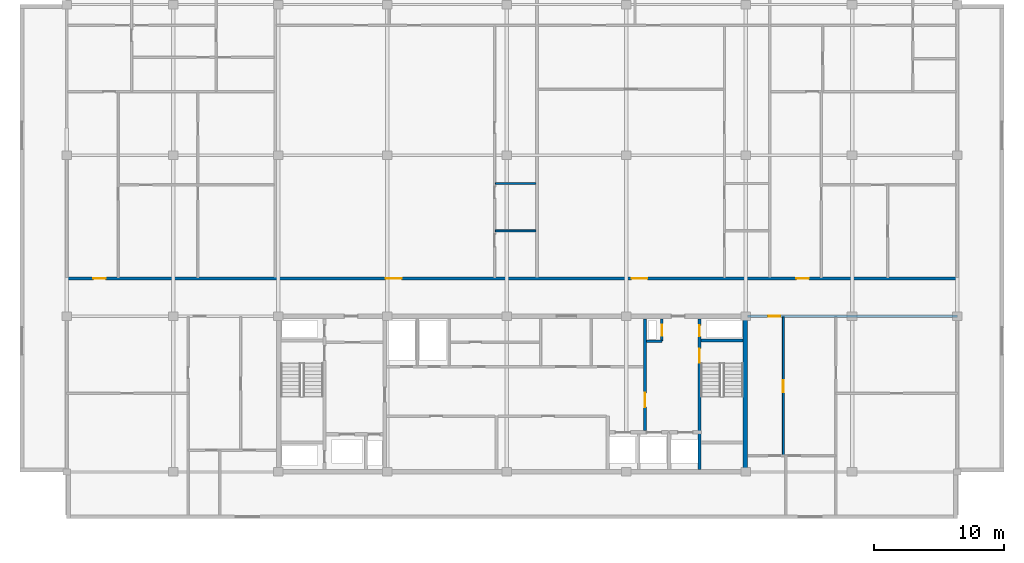
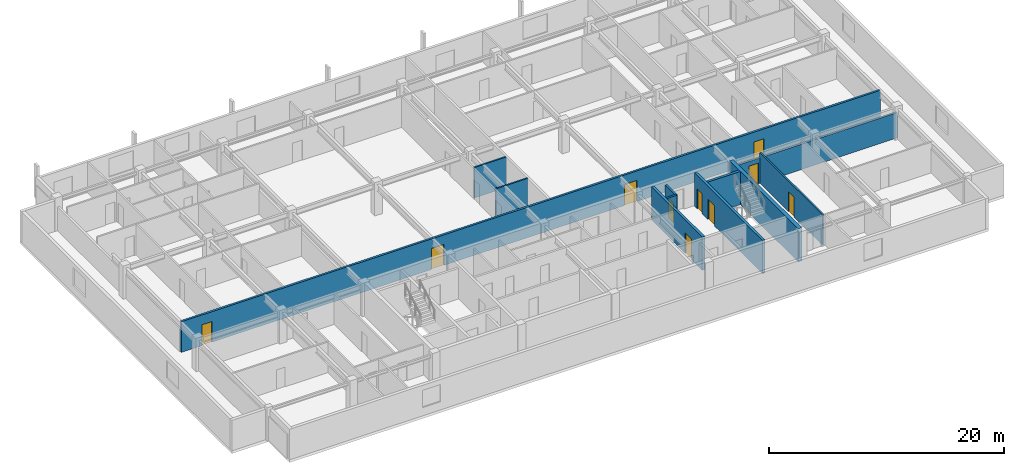
# One storey, part 5 of 10: 11 walls, 10 doors, 10 openings.
"""IFC4 building model written with IfcOpenShell, lengths in metres."""

from ifc_helpers import new_model, si_unit, direction, frame, frame_2d, origin, place, context, subcontext, project, spatial, rectangle, extrude, material, layer, layer_set, type_object, element, fill, save


model = new_model("IFC4")

# Units and contexts
model_context = context("Model", 3, precision=1e-05, world=origin(), true_north=direction((0.0, 1.0)))
body_context = subcontext(model_context, "Body", "Model", "MODEL_VIEW")
ifc_project = project(units=[si_unit("LENGTHUNIT", "METRE"), si_unit("AREAUNIT", "SQUARE_METRE"), si_unit("VOLUMEUNIT", "CUBIC_METRE"), si_unit("PLANEANGLEUNIT", "RADIAN"), si_unit("MASSUNIT", "GRAM", prefix="KILO")], contexts=[model_context])

# Site, building, storey
site_placement = place(None, origin())
site = spatial("IfcSite", under=ifc_project, at=site_placement, CompositionType="ELEMENT")
building_placement = place(site_placement, origin())
building = spatial("IfcBuilding", under=site, at=building_placement, Name="Korimba Cascade Residences", CompositionType="ELEMENT")
storey_placement = place(building_placement, frame((0.0, 0.0, 245.89990234375)))
storey = spatial("IfcBuildingStorey", under=building, at=storey_placement, Name="L71", CompositionType="ELEMENT", Elevation=245.89990234375)

# Wall
ifc_material_1 = material(Name="Concrete C65/80", Category="concrete")
ifc_layer_1 = layer(ifc_material_1, 0.35009765625)
ifc_layer_set_1 = layer_set([ifc_layer_1], Name="Concrete C65/80")
wall_type_1 = type_object("IfcWallType", Name="WAL-CORE-350", PredefinedType="SHEAR", material=ifc_layer_set_1)
wall_1_placement = place(storey_placement, frame((112.074951171875, 55.375, 0.0), z_axis=(0.0, 0.0, 1.0), x_axis=(0.0, 1.0, 0.0)))
element("IfcWall", 1, at=wall_1_placement, inside=storey, type_object=wall_type_1, Name="L71 Core Shear Wall CW-L71-T1-E", PredefinedType="SHEAR", context=body_context, shape_type="SweptSolid", body=[
    extrude(rectangle(XDim=11.64990234375, YDim=0.35009765625, at=frame_2d((5.824951171875, 0.0))), origin(), (0.0, 0.0, 1.0), 3.4501953125),
])

# Wall, opening, door
ifc_material_2 = material(Name="Precast concrete C40/50", Category="concrete")
ifc_layer_2 = layer(ifc_material_2, 0.199951171875)
ifc_layer_set_2 = layer_set([ifc_layer_2], Name="Precast concrete C40/50")
wall_type_2 = type_object("IfcWallType", Name="WAL-IT-200", PredefinedType="PARTITIONING", material=ifc_layer_set_2)
wall_2_placement = place(storey_placement, frame((112.25, 67.199951171875, 0.0), z_axis=(0.0, 0.0, 1.0), x_axis=(1.0, 0.0, 0.0)))
wall_2 = element("IfcWall", 2, at=wall_2_placement, inside=storey, type_object=wall_type_2, Name="L71 Partition Wall WAL-L71-T1-FE-N", PredefinedType="PARTITIONING", context=body_context, shape_type="SweptSolid", body=[
    extrude(rectangle(XDim=16.14990234375, YDim=0.199951171875, at=frame_2d((8.074951171875, 0.0))), origin(), (0.0, 0.0, 1.0), 2.63330078125),
])
opening_1_placement = place(wall_2_placement, frame((1.580078125, 0.0, 0.0)))
opening_1 = element("IfcOpeningElement", 3, at=opening_1_placement, cuts=wall_2, Name="Opening D-UN1", PredefinedType="OPENING", context=body_context, shape_type="SweptSolid", body=[
    extrude(rectangle(XDim=0.949951171875, YDim=2.14990234375, at=frame_2d((0.47509765625, 1.074951171875))), frame((0.0, 0.10986328125, 0.0), z_axis=(0.0, -1.0, 0.0), x_axis=(1.0, 0.0, 0.0)), (0.0, 0.0, 1.0), 0.219970703125),
])
ifc_material_3 = material(Name="Fire-Rated Hardwood Apartment Entrance Door", Category="wood")
door_type_1 = type_object("IfcDoorType", Name="DR-FD60-950", OperationType="NOTDEFINED", PredefinedType="DOOR", material=ifc_material_3)
door_1_placement = place(opening_1_placement, origin())
door_1 = element("IfcDoor", 4, at=door_1_placement, inside=storey, type_object=door_type_1, Name="L71-T1-FE Entrance Door", OperationType="SINGLE_SWING_LEFT", OverallHeight=2.14990234375, OverallWidth=0.949951171875, PredefinedType="DOOR", context=body_context, shape_type="SweptSolid", body=[
    extrude(rectangle(XDim=0.949951171875, YDim=2.14990234375, at=frame_2d((0.47509765625, 1.074951171875))), frame((0.0, 0.02490234375, 0.0), z_axis=(0.0, -1.0, 0.0), x_axis=(1.0, 0.0, 0.0)), (0.0, 0.0, 1.0), 0.050048828125),
])
fill(opening_1, door_1)

# Wall, openings, doors
wall_3_placement = place(storey_placement, frame((59.800048828125, 70.10009765625, 0.0), z_axis=(0.0, 0.0, 1.0), x_axis=(1.0, 0.0, 0.0)))
wall_3 = element("IfcWall", 5, at=wall_3_placement, inside=storey, type_object=wall_type_2, Name="L71 Partition Wall WAL-L71-T1-CORN", PredefinedType="PARTITIONING", context=body_context, shape_type="SweptSolid", body=[
    extrude(rectangle(XDim=68.599853515625, YDim=0.199951171875, at=frame_2d((34.2998046875, 0.0))), origin(), (0.0, 0.0, 1.0), 3.170166015625),
])
opening_2_placement = place(wall_3_placement, frame((2.044921875, 0.0, 0.0)))
opening_2 = element("IfcOpeningElement", 6, at=opening_2_placement, cuts=wall_3, Name="Opening D-UN1", PredefinedType="OPENING", context=body_context, shape_type="SweptSolid", body=[
    extrude(rectangle(XDim=0.949951171875, YDim=2.14990234375, at=frame_2d((0.47509765625, 1.074951171875))), frame((0.0, 0.10986328125, 0.0), z_axis=(0.0, -1.0, 0.0), x_axis=(1.0, 0.0, 0.0)), (0.0, 0.0, 1.0), 0.219970703125),
])
opening_3_placement = place(wall_3_placement, frame((24.569580078125, 0.0, 0.0)))
opening_3 = element("IfcOpeningElement", 7, at=opening_3_placement, cuts=wall_3, Name="Opening D-AM1", PredefinedType="OPENING", context=body_context, shape_type="SweptSolid", body=[
    extrude(rectangle(XDim=1.219970703125, YDim=2.179931640625, at=frame_2d((0.60986328125, 1.08984375))), frame((0.0, 0.10986328125, 0.0), z_axis=(0.0, -1.0, 0.0), x_axis=(1.0, 0.0, 0.0)), (0.0, 0.0, 1.0), 0.219970703125),
])
opening_4_placement = place(wall_3_placement, frame((43.506591796875, 0.0, 0.0)))
opening_4 = element("IfcOpeningElement", 8, at=opening_4_placement, cuts=wall_3, Name="Opening D-AM1", PredefinedType="OPENING", context=body_context, shape_type="SweptSolid", body=[
    extrude(rectangle(XDim=1.219970703125, YDim=2.179931640625, at=frame_2d((0.60986328125, 1.08984375))), frame((0.0, 0.10986328125, 0.0), z_axis=(0.0, -1.0, 0.0), x_axis=(1.0, 0.0, 0.0)), (0.0, 0.0, 1.0), 0.219970703125),
])
opening_5_placement = place(wall_3_placement, frame((56.2138671875, 0.0, 0.0)))
opening_5 = element("IfcOpeningElement", 9, at=opening_5_placement, cuts=wall_3, Name="Opening D-UN1", PredefinedType="OPENING", context=body_context, shape_type="SweptSolid", body=[
    extrude(rectangle(XDim=0.949951171875, YDim=2.14990234375, at=frame_2d((0.47509765625, 1.074951171875))), frame((0.0, 0.10986328125, 0.0), z_axis=(0.0, -1.0, 0.0), x_axis=(1.0, 0.0, 0.0)), (0.0, 0.0, 1.0), 0.219970703125),
])
ifc_material_4 = material(Name="Fire-Rated Glazed Timber Suite Door", Category="wood")
door_type_2 = type_object("IfcDoorType", Name="DR-FD60-1200", OperationType="NOTDEFINED", PredefinedType="DOOR", material=ifc_material_4)
door_2_placement = place(opening_3_placement, origin())
door_2 = element("IfcDoor", 10, at=door_2_placement, inside=storey, type_object=door_type_2, Name="L71-T1-U02 Executive Co-Working Office Door", OperationType="SINGLE_SWING_RIGHT", OverallHeight=2.179931640625, OverallWidth=1.219970703125, PredefinedType="DOOR", context=body_context, shape_type="SweptSolid", body=[
    extrude(rectangle(XDim=1.219970703125, YDim=2.179931640625, at=frame_2d((0.60986328125, 1.08984375))), frame((0.0, 0.02490234375, 0.0), z_axis=(0.0, -1.0, 0.0), x_axis=(1.0, 0.0, 0.0)), (0.0, 0.0, 1.0), 0.050048828125),
])
fill(opening_3, door_2)
door_3_placement = place(opening_4_placement, origin())
door_3 = element("IfcDoor", 11, at=door_3_placement, inside=storey, type_object=door_type_2, Name="L71-T1-U03 Health Consultation Clinic Door", OperationType="SINGLE_SWING_LEFT", OverallHeight=2.179931640625, OverallWidth=1.219970703125, PredefinedType="DOOR", context=body_context, shape_type="SweptSolid", body=[
    extrude(rectangle(XDim=1.219970703125, YDim=2.179931640625, at=frame_2d((0.60986328125, 1.08984375))), frame((0.0, 0.02490234375, 0.0), z_axis=(0.0, -1.0, 0.0), x_axis=(1.0, 0.0, 0.0)), (0.0, 0.0, 1.0), 0.050048828125),
])
fill(opening_4, door_3)
door_4_placement = place(opening_2_placement, origin())
door_4 = element("IfcDoor", 12, at=door_4_placement, inside=storey, type_object=door_type_1, Name="Unit L71-T1-U01 Entrance Door", OperationType="SINGLE_SWING_LEFT", OverallHeight=2.14990234375, OverallWidth=0.949951171875, PredefinedType="DOOR", context=body_context, shape_type="SweptSolid", body=[
    extrude(rectangle(XDim=0.949951171875, YDim=2.14990234375, at=frame_2d((0.47509765625, 1.074951171875))), frame((0.0, 0.02490234375, 0.0), z_axis=(0.0, -1.0, 0.0), x_axis=(1.0, 0.0, 0.0)), (0.0, 0.0, 1.0), 0.050048828125),
])
fill(opening_2, door_4)
door_5_placement = place(opening_5_placement, origin())
door_5 = element("IfcDoor", 13, at=door_5_placement, inside=storey, type_object=door_type_1, Name="Unit L71-T1-U04 Entrance Door", OperationType="SINGLE_SWING_RIGHT", OverallHeight=2.14990234375, OverallWidth=0.949951171875, PredefinedType="DOOR", context=body_context, shape_type="SweptSolid", body=[
    extrude(rectangle(XDim=0.949951171875, YDim=2.14990234375, at=frame_2d((0.47509765625, 1.074951171875))), frame((0.0, 0.02490234375, 0.0), z_axis=(0.0, -1.0, 0.0), x_axis=(1.0, 0.0, 0.0)), (0.0, 0.0, 1.0), 0.050048828125),
])
fill(opening_5, door_5)

# Wall, opening, door
ifc_material_5 = material(Name="Insulated Acoustic Stud Partition", Category="gypsum")
ifc_layer_3 = layer(ifc_material_5, 0.14990234375)
ifc_layer_set_3 = layer_set([ifc_layer_3], Name="Insulated Acoustic Stud Partition")
wall_type_3 = type_object("IfcWallType", Name="WAL-PART-150", PredefinedType="PARTITIONING", material=ifc_layer_set_3)
wall_4_placement = place(storey_placement, frame((115.0, 56.449951171875, 0.0), z_axis=(0.0, 0.0, 1.0), x_axis=(0.0, 1.0, 0.0)))
wall_4 = element("IfcWall", 14, at=wall_4_placement, inside=storey, type_object=wall_type_3, Name="L71 Partition Wall WAL-L71-T1-FE-VN", PredefinedType="PARTITIONING", context=body_context, shape_type="SweptSolid", body=[
    extrude(rectangle(XDim=10.699951171875, YDim=0.14990234375, at=frame_2d((5.35009765625, 0.0))), origin(), (0.0, 0.0, 1.0), 3.170166015625),
])
opening_6_placement = place(wall_4_placement, frame((4.889892578125, 0.0, 0.0)))
opening_6 = element("IfcOpeningElement", 15, at=opening_6_placement, cuts=wall_4, Name="Opening D-IN1", PredefinedType="OPENING", context=body_context, shape_type="SweptSolid", body=[
    extrude(rectangle(XDim=0.919921875, YDim=2.080078125, at=frame_2d((0.4599609375, 1.0400390625))), frame((0.0, 0.0849609375, 0.0), z_axis=(0.0, -1.0, 0.0), x_axis=(1.0, 0.0, 0.0)), (0.0, 0.0, 1.0), 0.169921875),
])
ifc_material_6 = material(Name="Acoustic Timber Living Door", Category="wood")
door_type_3 = type_object("IfcDoorType", Name="DR-INT-920", OperationType="NOTDEFINED", PredefinedType="DOOR", material=ifc_material_6)
door_6_placement = place(opening_6_placement, origin())
door_6 = element("IfcDoor", 16, at=door_6_placement, inside=storey, type_object=door_type_3, Name="L71-T1-FE Living Door", OperationType="SINGLE_SWING_RIGHT", OverallHeight=2.080078125, OverallWidth=0.919921875, PredefinedType="DOOR", context=body_context, shape_type="SweptSolid", body=[
    extrude(rectangle(XDim=0.919921875, YDim=2.080078125, at=frame_2d((0.4599609375, 1.0400390625))), frame((0.0, 0.02490234375, 0.0), z_axis=(0.0, -1.0, 0.0), x_axis=(1.0, 0.0, 0.0)), (0.0, 0.0, 1.0), 0.050048828125),
])
fill(opening_6, door_6)

# Walls
for number, where, z_axis, x_axis, name in (
    (17, (92.814208984375, 73.77001953125, 0.0), (0.0, 0.0, 1.0), (1.0, 0.0, 0.0), "L71 Partition Wall WAL-L71-T1-U02-WCH"),
    (18, (92.814208984375, 77.419921875, 0.0), (0.0, 0.0, 1.0), (1.0, 0.0, 0.0), "L71 Partition Wall WAL-L71-T1-U02-WCH2"),
):
    element("IfcWall", number, at=place(storey_placement, frame(where, z_axis=z_axis, x_axis=x_axis)), inside=storey, type_object=wall_type_3, Name=name, PredefinedType="PARTITIONING", context=body_context, shape_type="SweptSolid", body=[
        extrude(rectangle(XDim=3.130126953125, YDim=0.14990234375, at=frame_2d((1.56494140625, 0.0))), origin(), (0.0, 0.0, 1.0), 3.170166015625),
    ])
ifc_material_7 = material(Name="Concrete C40/50", Category="concrete")
ifc_layer_4 = layer(ifc_material_7, 0.199951171875)
ifc_layer_set_4 = layer_set([ifc_layer_4], Name="Concrete C40/50")
wall_type_4 = type_object("IfcWallType", Name="WAL-PART-200", PredefinedType="PARTITIONING", material=ifc_layer_set_4)
wall_5_placement = place(storey_placement, frame((104.449951171875, 65.280029296875, 0.0), z_axis=(0.0, 0.0, 1.0), x_axis=(1.0, 0.0, 0.0)))
element("IfcWall", 19, at=wall_5_placement, inside=storey, type_object=wall_type_4, Name="L71 Partition Wall CW-L71-T1-HYDW2S", PredefinedType="PARTITIONING", context=body_context, shape_type="SweptSolid", body=[
    extrude(rectangle(XDim=1.199951171875, YDim=0.199951171875, at=frame_2d((0.60009765625, 0.0))), origin(), (0.0, 0.0, 1.0), 3.170166015625),
])

# Wall, opening, door
wall_6_placement = place(storey_placement, frame((105.64990234375, 65.280029296875, 0.0), z_axis=(0.0, 0.0, 1.0), x_axis=(0.0, 1.0, 0.0)))
wall_6 = element("IfcWall", 20, at=wall_6_placement, inside=storey, type_object=wall_type_4, Name="L71 Partition Wall CW-L71-T1-HYDW2E", PredefinedType="PARTITIONING", context=body_context, shape_type="SweptSolid", body=[
    extrude(rectangle(XDim=1.719970703125, YDim=0.199951171875, at=frame_2d((0.85986328125, 0.0))), origin(), (0.0, 0.0, 1.0), 3.170166015625),
])
opening_7_placement = place(wall_6_placement, frame((0.39990234375, 0.0, 0.0)))
opening_7 = element("IfcOpeningElement", 21, at=opening_7_placement, cuts=wall_6, Name="Opening D-RS1", PredefinedType="OPENING", context=body_context, shape_type="SweptSolid", body=[
    extrude(rectangle(XDim=0.85009765625, YDim=2.050048828125, at=frame_2d((0.425048828125, 1.02490234375))), frame((0.0, 0.10986328125, 0.0), z_axis=(0.0, -1.0, 0.0), x_axis=(1.0, 0.0, 0.0)), (0.0, 0.0, 1.0), 0.219970703125),
])
ifc_material_8 = material(Name="Fire-Rated Steel Riser Access Door", Category="steel")
door_type_4 = type_object("IfcDoorType", Name="DR-FD60-850", OperationType="NOTDEFINED", PredefinedType="DOOR", material=ifc_material_8)
door_7_placement = place(opening_7_placement, origin())
door_7 = element("IfcDoor", 22, at=door_7_placement, inside=storey, type_object=door_type_4, Name="L71 East Hydrant Door", OperationType="SINGLE_SWING_RIGHT", OverallHeight=2.050048828125, OverallWidth=0.85009765625, PredefinedType="DOOR", context=body_context, shape_type="SweptSolid", body=[
    extrude(rectangle(XDim=0.85009765625, YDim=2.050048828125, at=frame_2d((0.425048828125, 1.02490234375))), frame((0.0, 0.02490234375, 0.0), z_axis=(0.0, -1.0, 0.0), x_axis=(1.0, 0.0, 0.0)), (0.0, 0.0, 1.0), 0.050048828125),
])
fill(opening_7, door_7)

ifc_material_9 = material(Name="Concrete C50/60", Category="concrete")
ifc_layer_5 = layer(ifc_material_9, 0.25)
ifc_layer_set_5 = layer_set([ifc_layer_5], Name="Concrete C50/60")
wall_type_5 = type_object("IfcWallType", Name="WAL-SHAFT-250", PredefinedType="SHEAR", material=ifc_layer_set_5)
wall_7_placement = place(storey_placement, frame((104.35009765625, 58.39990234375, 0.0), z_axis=(0.0, 0.0, 1.0), x_axis=(0.0, 1.0, 0.0)))
wall_7 = element("IfcWall", 23, at=wall_7_placement, inside=storey, type_object=wall_type_5, Name="L71 Core Shear Wall CW-L71-T1-LLEV", PredefinedType="SHEAR", context=body_context, shape_type="SweptSolid", body=[
    extrude(rectangle(XDim=8.60009765625, YDim=0.25, at=frame_2d((4.300048828125, 0.0))), origin(), (0.0, 0.0, 1.0), 3.4501953125),
])
opening_8_placement = place(wall_7_placement, frame((1.800048828125, 0.0, 0.0)))
opening_8 = element("IfcOpeningElement", 24, at=opening_8_placement, cuts=wall_7, Name="Opening D-FD1", PredefinedType="OPENING", context=body_context, shape_type="SweptSolid", body=[
    extrude(rectangle(XDim=1.10009765625, YDim=2.10009765625, at=frame_2d((0.550048828125, 1.050048828125))), frame((0.0, 0.135009765625, 0.0), z_axis=(0.0, -1.0, 0.0), x_axis=(1.0, 0.0, 0.0)), (0.0, 0.0, 1.0), 0.27001953125),
])
ifc_material_10 = material(Name="Fire-Rated Steel Core Door", Category="steel")
door_type_5 = type_object("IfcDoorType", Name="DR-FD120-1100", OperationType="NOTDEFINED", PredefinedType="DOOR", material=ifc_material_10)
door_8_placement = place(opening_8_placement, origin())
door_8 = element("IfcDoor", 25, at=door_8_placement, inside=storey, type_object=door_type_5, Name="L71 Lift Lobby to East Firefighting Lobby Door", OperationType="SINGLE_SWING_LEFT", OverallHeight=2.10009765625, OverallWidth=1.10009765625, PredefinedType="DOOR", context=body_context, shape_type="SweptSolid", body=[
    extrude(rectangle(XDim=1.10009765625, YDim=2.10009765625, at=frame_2d((0.550048828125, 1.050048828125))), frame((0.0, 0.02490234375, 0.0), z_axis=(0.0, -1.0, 0.0), x_axis=(1.0, 0.0, 0.0)), (0.0, 0.0, 1.0), 0.050048828125),
])
fill(opening_8, door_8)

# Wall, openings, doors
wall_8_placement = place(storey_placement, frame((108.534912109375, 55.39990234375, 0.0), z_axis=(0.0, 0.0, 1.0), x_axis=(0.0, 1.0, 0.0)))
wall_8 = element("IfcWall", 26, at=wall_8_placement, inside=storey, type_object=wall_type_5, Name="L71 Core Shear Wall CW-L71-T1-STW2W", PredefinedType="SHEAR", context=body_context, shape_type="SweptSolid", body=[
    extrude(rectangle(XDim=11.60009765625, YDim=0.25, at=frame_2d((5.800048828125, 0.0))), origin(), (0.0, 0.0, 1.0), 3.4501953125),
])
opening_9_placement = place(wall_8_placement, frame((8.199951171875, 0.0, 0.0)))
opening_9 = element("IfcOpeningElement", 27, at=opening_9_placement, cuts=wall_8, Name="Opening D-FD1", PredefinedType="OPENING", context=body_context, shape_type="SweptSolid", body=[
    extrude(rectangle(XDim=1.10009765625, YDim=2.10009765625, at=frame_2d((0.550048828125, 1.050048828125))), frame((0.0, 0.135009765625, 0.0), z_axis=(0.0, -1.0, 0.0), x_axis=(1.0, 0.0, 0.0)), (0.0, 0.0, 1.0), 0.27001953125),
])
opening_10_placement = place(wall_8_placement, frame((10.25, 0.0, 0.0)))
opening_10 = element("IfcOpeningElement", 28, at=opening_10_placement, cuts=wall_8, Name="Opening D-RS1", PredefinedType="OPENING", context=body_context, shape_type="SweptSolid", body=[
    extrude(rectangle(XDim=0.85009765625, YDim=2.050048828125, at=frame_2d((0.425048828125, 1.02490234375))), frame((0.0, 0.135009765625, 0.0), z_axis=(0.0, -1.0, 0.0), x_axis=(1.0, 0.0, 0.0)), (0.0, 0.0, 1.0), 0.27001953125),
])
door_9_placement = place(opening_9_placement, origin())
door_9 = element("IfcDoor", 29, at=door_9_placement, inside=storey, type_object=door_type_5, Name="L71 Fire Stair ST-W2 Door", OperationType="SINGLE_SWING_RIGHT", OverallHeight=2.10009765625, OverallWidth=1.10009765625, PredefinedType="DOOR", context=body_context, shape_type="SweptSolid", body=[
    extrude(rectangle(XDim=1.10009765625, YDim=2.10009765625, at=frame_2d((0.550048828125, 1.050048828125))), frame((0.0, 0.02490234375, 0.0), z_axis=(0.0, -1.0, 0.0), x_axis=(1.0, 0.0, 0.0)), (0.0, 0.0, 1.0), 0.050048828125),
])
fill(opening_9, door_9)
door_10_placement = place(opening_10_placement, origin())
door_10 = element("IfcDoor", 30, at=door_10_placement, inside=storey, type_object=door_type_4, Name="L71 East Riser Door", OperationType="SINGLE_SWING_LEFT", OverallHeight=2.050048828125, OverallWidth=0.85009765625, PredefinedType="DOOR", context=body_context, shape_type="SweptSolid", body=[
    extrude(rectangle(XDim=0.85009765625, YDim=2.050048828125, at=frame_2d((0.425048828125, 1.02490234375))), frame((0.0, 0.02490234375, 0.0), z_axis=(0.0, -1.0, 0.0), x_axis=(1.0, 0.0, 0.0)), (0.0, 0.0, 1.0), 0.050048828125),
])
fill(opening_10, door_10)

# Wall
wall_9_placement = place(storey_placement, frame((108.659912109375, 65.324951171875, 0.0), z_axis=(0.0, 0.0, 1.0), x_axis=(1.0, 0.0, 0.0)))
element("IfcWall", 31, at=wall_9_placement, inside=storey, type_object=wall_type_5, Name="L71 Core Shear Wall CW-L71-T1-STW2N", PredefinedType="SHEAR", context=body_context, shape_type="SweptSolid", body=[
    extrude(rectangle(XDim=3.239990234375, YDim=0.25, at=frame_2d((1.6201171875, 0.0))), origin(), (0.0, 0.0, 1.0), 3.4501953125),
])

save(model, "model.ifc")
